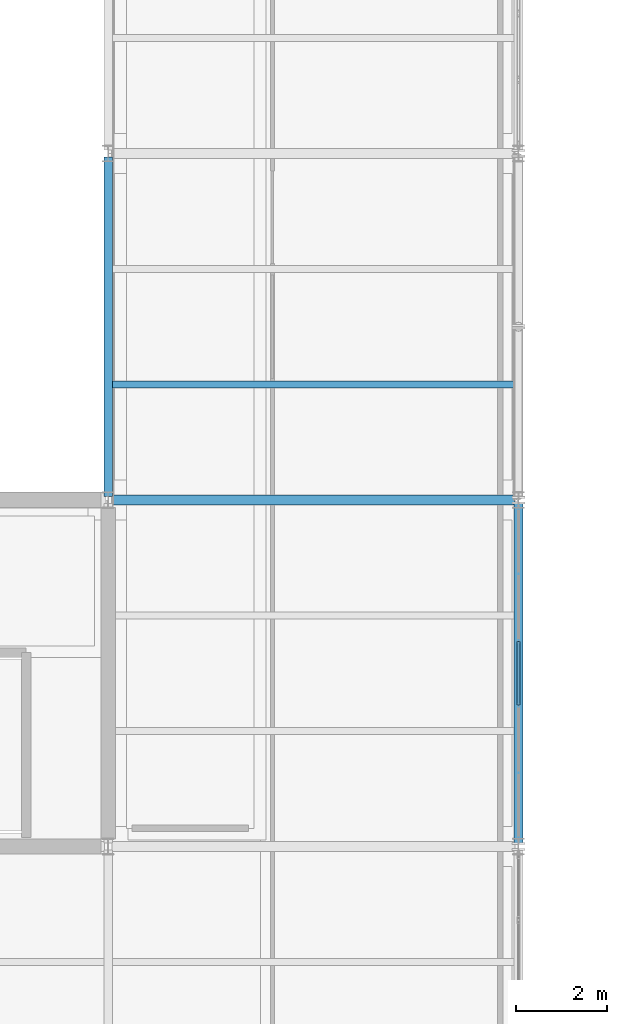
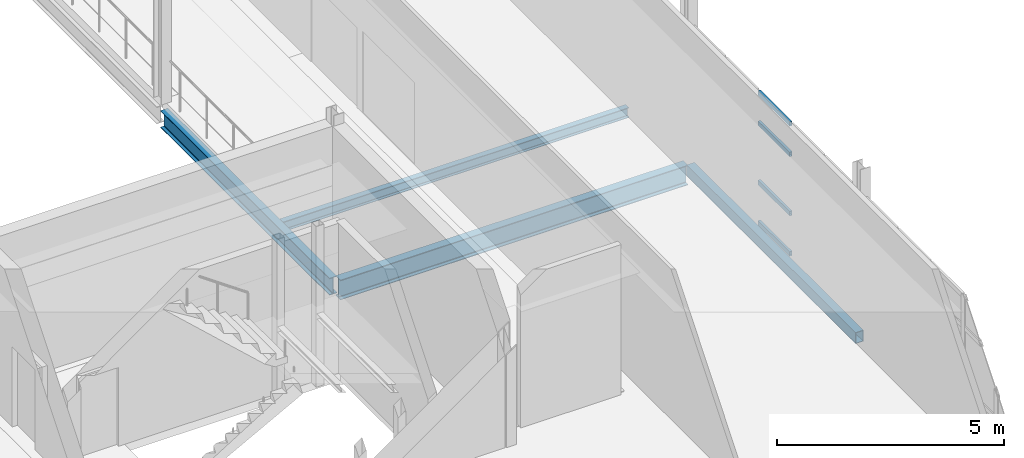
# One storey, part 119 of 174: 4 beams, 4 members, 1 element without a shape of its own.
"""IFC4 building model written with IfcOpenShell, lengths in metres."""

import ifcopenshell
import ifcopenshell.guid

model = None  # the IFC model being written
_history = None  # IfcOwnerHistory: only IFC2X3 demands one
_inside = {}  # id of a spatial element -> (the spatial element, [elements in it])
_under = {}  # id of a project, library or spatial element -> (it, [spatial elements below it])
_declared = {}  # id of a project -> (the project, [libraries it declares])
_typed = {}  # id of a type object -> (the type object, [elements of that type])
_made_of = {}  # id of a material, layer set ... -> (it, [elements and type objects made of it])


def new_model(schema):
    """Start an empty IFC model of exactly this schema.

    Asked for "IFC4X3", IfcOpenShell would pick the latest addendum, in which some entities
    have other attributes; the version numbers below select the first issue.
    IFC2X3 requires an IfcOwnerHistory on every rooted entity: one is made here for all.
    """
    global model, _history
    if schema == "IFC4X3":
        model = ifcopenshell.file(schema_version=(4, 3, 0, 0))
    else:
        model = ifcopenshell.file(schema=schema)
    _inside.clear()
    _under.clear()
    _declared.clear()
    _typed.clear()
    _made_of.clear()
    _history = None
    if model.schema == "IFC2X3":
        org = make("IfcOrganization", Name="unknown")
        user = make(
            "IfcPersonAndOrganization",
            ThePerson=make("IfcPerson", FamilyName="unknown"),
            TheOrganization=org,
        )
        app = make(
            "IfcApplication",
            ApplicationDeveloper=org,
            Version="unknown",
            ApplicationFullName="unknown",
            ApplicationIdentifier="unknown",
        )
        _history = make(
            "IfcOwnerHistory",
            OwningUser=user,
            OwningApplication=app,
            ChangeAction="ADDED",
            CreationDate=0,
        )
    return model


def make(cls, **values):
    """One entity of the class cls with the attributes given. An attribute that is None is left unset."""
    return model.create_entity(
        cls, **{name: value for name, value in values.items() if value is not None}
    )


def rooted(cls, **values):
    """An entity with a GlobalId (a new one), such as an element, a storey or a relation."""
    return make(cls, GlobalId=ifcopenshell.guid.new(), OwnerHistory=_history, **values)


def si_unit(unit_type, name, prefix=None):
    """IfcSIUnit, for example si_unit("LENGTHUNIT", "METRE", prefix="MILLI")."""
    return make("IfcSIUnit", UnitType=unit_type, Prefix=prefix, Name=name)


def assignment(units):
    """IfcUnitAssignment: the units of a project."""
    return None if units is None else make("IfcUnitAssignment", Units=units)


def point(xyz):
    """IfcCartesianPoint."""
    return None if xyz is None else make("IfcCartesianPoint", Coordinates=xyz)


def direction(xyz):
    """IfcDirection."""
    return None if xyz is None else make("IfcDirection", DirectionRatios=xyz)


def frame(location, z_axis=None, x_axis=None):
    """IfcAxis2Placement3D, a coordinate frame: its origin and axes. An axis left out is left unset."""
    return make(
        "IfcAxis2Placement3D",
        Location=point(location),
        Axis=direction(z_axis),
        RefDirection=direction(x_axis),
    )


def frame_2d(location, x_axis=None):
    """IfcAxis2Placement2D, a coordinate frame in the plane: its origin and x axis."""
    return make(
        "IfcAxis2Placement2D", Location=point(location), RefDirection=direction(x_axis)
    )


def origin():
    """The frame at (0, 0, 0) with its axes left unset."""
    return frame((0.0, 0.0, 0.0))


def origin_2d():
    """The frame at (0, 0) in the plane with its x axis left unset."""
    return frame_2d((0.0, 0.0))


def place(relative_to, where):
    """IfcLocalPlacement: puts the frame where relative to a parent placement (None: the world)."""
    return make(
        "IfcLocalPlacement", PlacementRelTo=relative_to, RelativePlacement=where
    )


def context(
    kind, dimensions, precision=None, world=None, true_north=None, identifier=None
):
    """IfcGeometricRepresentationContext, for example the 3D "Model" context."""
    return make(
        "IfcGeometricRepresentationContext",
        ContextIdentifier=identifier,
        ContextType=kind,
        CoordinateSpaceDimension=dimensions,
        Precision=precision,
        WorldCoordinateSystem=world,
        TrueNorth=true_north,
    )


def subcontext(parent, identifier, kind, view, scale=None):
    """IfcGeometricRepresentationSubContext, for example "Body" below "Model"."""
    return make(
        "IfcGeometricRepresentationSubContext",
        ContextIdentifier=identifier,
        ContextType=kind,
        ParentContext=parent,
        TargetScale=scale,
        TargetView=view,
    )


def project(units=None, contexts=None):
    """IfcProject with its units and contexts."""
    return rooted(
        "IfcProject",
        Name="project",
        RepresentationContexts=contexts,
        UnitsInContext=assignment(units),
    )


def spatial(cls, under=None, at=None, **own):
    """A site, building, storey or space (cls), placed at a placement, below another one or the project."""
    s = rooted(cls, ObjectPlacement=at, **own)
    if under is not None:
        _under.setdefault(under.id(), (under, []))[1].append(s)
    return s


def profile(cls, at=None, kind="AREA", **sizes):
    """A parametric profile (cls). Its sizes go by their IFC names, for example OverallWidth=200.0."""
    return make(cls, ProfileType=kind, Position=at, **sizes)


def hollow_rectangle(**sizes):
    """IfcRectangleHollowProfileDef."""
    return profile("IfcRectangleHollowProfileDef", **sizes)


def i_section(**sizes):
    """IfcIShapeProfileDef."""
    return profile("IfcIShapeProfileDef", **sizes)


def extrude(swept, where, along, depth):
    """IfcExtrudedAreaSolid: the profile swept, set in the frame where, extruded along a direction by depth."""
    return make(
        "IfcExtrudedAreaSolid",
        SweptArea=swept,
        Position=where,
        ExtrudedDirection=direction(along),
        Depth=depth,
    )


def shape(context_of_items, identifier, shape_type, items):
    """IfcShapeRepresentation: the items that make up one representation, for example the "Body"."""
    return make(
        "IfcShapeRepresentation",
        ContextOfItems=context_of_items,
        RepresentationIdentifier=identifier,
        RepresentationType=shape_type,
        Items=items,
    )


def material(Name=None, Category=None):
    """IfcMaterial."""
    return make("IfcMaterial", Name=Name, Category=Category)


def material_profile(
    of_material, cross_section, Name=None, Category=None, Priority=None
):
    """IfcMaterialProfile: a cross section and its material."""
    return make(
        "IfcMaterialProfile",
        Name=Name,
        Material=of_material,
        Profile=cross_section,
        Priority=Priority,
        Category=Category,
    )


def profile_set(profiles, Name=None, composite=None):
    """IfcMaterialProfileSet."""
    return make(
        "IfcMaterialProfileSet",
        Name=Name,
        MaterialProfiles=profiles,
        CompositeProfile=composite,
    )


def made_of(thing, what):
    """Note that an element or type object is made of a material, layer set ...; save() writes the relation."""
    if what is not None:
        _made_of.setdefault(what.id(), (what, []))[1].append(thing)
    return thing


def type_object(cls, material=None, **own):
    """A type object (cls), such as IfcWallType, which elements share."""
    return made_of(rooted(cls, **own), material)


def element(
    cls,
    number,
    at=None,
    inside=None,
    cuts=None,
    type_object=None,
    material=None,
    context=None,
    identifier="Body",
    shape_type=None,
    held_by="IfcProductDefinitionShape",
    body=None,
    shapes=None,
    **own,
):
    """One element of the class cls, such as IfcWall. Its Tag is "e" and its number.

    at: its placement. inside: the storey or other place that contains it. cuts: it is an
    opening in that element (IfcRelVoidsElement). A single representation is given by context,
    identifier, shape_type and body (its items); several are given by shapes. held_by: the class
    of the entity that holds the representations. save() writes the other relations.
    """
    e = rooted(cls, Tag="e%d" % number, ObjectPlacement=at, **own)
    if body is not None:
        shapes = [shape(context, identifier, shape_type, body)]
    if shapes is not None:
        e.Representation = make(held_by, Representations=shapes)
    if inside is not None:
        _inside.setdefault(inside.id(), (inside, []))[1].append(e)
    if cuts is not None:
        rooted(
            "IfcRelVoidsElement", RelatingBuildingElement=cuts, RelatedOpeningElement=e
        )
    if type_object is not None:
        _typed.setdefault(type_object.id(), (type_object, []))[1].append(e)
    return made_of(e, material)


def aggregate(whole, parts):
    """IfcRelAggregates: a whole, such as a stair, and the parts it consists of."""
    return rooted("IfcRelAggregates", RelatingObject=whole, RelatedObjects=parts)


def save(model, path):
    """Write the relations noted so far, then the file.

    IfcRelAggregates (storeys below a building ...), IfcRelContainedInSpatialStructure (elements
    in a storey), IfcRelDefinesByType, IfcRelAssociatesMaterial and IfcRelDeclares: one each for
    every whole, place, type object, material and project.
    """
    for whole, parts in _under.values():
        aggregate(whole, parts)
    for where, things in _inside.values():
        rooted(
            "IfcRelContainedInSpatialStructure",
            RelatedElements=things,
            RelatingStructure=where,
        )
    for kind, things in _typed.values():
        rooted("IfcRelDefinesByType", RelatedObjects=things, RelatingType=kind)
    for what, things in _made_of.values():
        rooted("IfcRelAssociatesMaterial", RelatedObjects=things, RelatingMaterial=what)
    for by, libraries in _declared.values():
        rooted("IfcRelDeclares", RelatingContext=by, RelatedDefinitions=libraries)
    model.write(path)


model = new_model("IFC4")

# Units and contexts
model_context = context("Model", 3, precision=1e-05, world=origin(), true_north=direction((0.0, 1.0)))
body_context = subcontext(model_context, "Body", "Model", "MODEL_VIEW")
ifc_project = project(units=[si_unit("LENGTHUNIT", "METRE"), si_unit("AREAUNIT", "SQUARE_METRE"), si_unit("VOLUMEUNIT", "CUBIC_METRE"), si_unit("PLANEANGLEUNIT", "RADIAN"), si_unit("MASSUNIT", "GRAM", prefix="KILO")], contexts=[model_context])

# Site, building, storey
site_placement = place(None, origin())
site = spatial("IfcSite", under=ifc_project, at=site_placement, CompositionType="ELEMENT")
building_placement = place(site_placement, origin())
building = spatial("IfcBuilding", under=site, at=building_placement, Name="Caisbarro Railhouse Central Library", CompositionType="ELEMENT")
storey_placement = place(building_placement, frame((0.0, 0.0, 5.0400390625)))
storey = spatial("IfcBuildingStorey", under=building, at=storey_placement, Name="L01", CompositionType="ELEMENT", Elevation=5.0400390625)

# Beams
ifc_material_1 = material(Name="Steel ASTM A572 Grade 50", Category="steel")
ifc_material_profile_1 = material_profile(ifc_material_1, i_section(OverallWidth=0.208984375, OverallDepth=0.532958984375, WebThickness=0.01025390625, FlangeThickness=0.015625, FilletRadius=0.02001953125, at=origin_2d()), Name="W530X92.0")
ifc_profile_set_1 = profile_set([ifc_material_profile_1], Name="Steel ASTM A572 Grade 50")
beam_type_1 = type_object("IfcBeamType", Name="BM-G06", PredefinedType="BEAM", material=ifc_profile_set_1)
beam_1_placement = place(storey_placement, frame((144.080078125, 76.0, -0.486572265625), z_axis=(1.0, 0.0, 0.0), x_axis=(0.0, 1.0, 0.0)))
element("IfcBeam", 1, at=beam_1_placement, inside=storey, type_object=beam_type_1, Name="G06 beam L01 #912", PredefinedType="BEAM", context=body_context, shape_type="SweptSolid", body=[
    extrude(i_section(OverallWidth=0.208984375, OverallDepth=0.532958984375, WebThickness=0.01025390625, FlangeThickness=0.015625, FilletRadius=0.02001953125, at=origin_2d()), origin(), (0.0, 0.0, 1.0), 8.83984375),
])
ifc_material_profile_2 = material_profile(ifc_material_1, i_section(OverallWidth=0.18994140625, OverallDepth=0.45703125, WebThickness=0.009033203125, FlangeThickness=0.014404296875, FilletRadius=0.01806640625, at=origin_2d()), Name="W460X74.0")
ifc_profile_set_2 = profile_set([ifc_material_profile_2], Name="Steel ASTM A572 Grade 50")
beam_type_2 = type_object("IfcBeamType", Name="BM-G08", PredefinedType="BEAM", material=ifc_profile_set_2)
beam_2_placement = place(storey_placement, frame((144.0, 76.080078125, -0.448486328125), z_axis=(0.0, 1.0, 0.0), x_axis=(-1.0, 0.0, 0.0)))
element("IfcBeam", 2, at=beam_2_placement, inside=storey, type_object=beam_type_2, Name="G08 beam L01 #952", PredefinedType="BEAM", context=body_context, shape_type="SweptSolid", body=[
    extrude(i_section(OverallWidth=0.18994140625, OverallDepth=0.45703125, WebThickness=0.009033203125, FlangeThickness=0.014404296875, FilletRadius=0.01806640625, at=origin_2d()), origin(), (0.0, 0.0, 1.0), 7.43994140625),
])
ifc_material_profile_3 = material_profile(ifc_material_1, i_section(OverallWidth=0.14794921875, OverallDepth=0.26611328125, WebThickness=0.007568359375, FlangeThickness=0.012939453125, FilletRadius=0.010009765625, at=origin_2d()), Name="W250X44.8")
ifc_profile_set_3 = profile_set([ifc_material_profile_3], Name="Steel ASTM A572 Grade 50")
beam_type_3 = type_object("IfcBeamType", Name="BM-J04", PredefinedType="JOIST", material=ifc_profile_set_3)
beam_3_placement = place(storey_placement, frame((144.094970703125, 78.533203125, -0.35302734375), z_axis=(1.0, 0.0, 0.0), x_axis=(0.0, 1.0, 0.0)))
element("IfcBeam", 3, at=beam_3_placement, inside=storey, type_object=beam_type_3, Name="J04 beam L01 #998", PredefinedType="JOIST", context=body_context, shape_type="SweptSolid", body=[
    extrude(i_section(OverallWidth=0.14794921875, OverallDepth=0.26611328125, WebThickness=0.007568359375, FlangeThickness=0.012939453125, FilletRadius=0.010009765625, at=origin_2d()), origin(), (0.0, 0.0, 1.0), 8.804931640625),
])
ifc_material_profile_4 = material_profile(ifc_material_1, hollow_rectangle(XDim=0.199951171875, YDim=0.300048828125, WallThickness=0.012451171875, at=origin_2d()), Name="HSS300X200X12.5")
ifc_profile_set_4 = profile_set([ifc_material_profile_4], Name="Steel ASTM A572 Grade 50")
beam_type_4 = type_object("IfcBeamType", Name="BM-SP02", PredefinedType="SPANDREL", material=ifc_profile_set_4)
beam_4_placement = place(storey_placement, frame((153.0, 68.47998046875, -0.3701171875), z_axis=(0.0, 1.0, 0.0), x_axis=(-1.0, 0.0, 0.0)))
element("IfcBeam", 4, at=beam_4_placement, inside=storey, type_object=beam_type_4, Name="SP02 beam L01 #958", PredefinedType="SPANDREL", context=body_context, shape_type="SweptSolid", body=[
    extrude(hollow_rectangle(XDim=0.199951171875, YDim=0.300048828125, WallThickness=0.012451171875, at=origin_2d()), origin(), (0.0, 0.0, 1.0), 7.43994140625),
])

# Curtain wall, members
ifc_material_2 = material(Name="Anodised architectural aluminium", Category="aluminium")
curtain_wall_type = type_object("IfcCurtainWallType", Name="CW-CW03", PredefinedType="NOTDEFINED", material=ifc_material_2)
curtain_wall_placement = place(storey_placement, origin())
curtain_wall = element("IfcCurtainWall", 5, at=curtain_wall_placement, inside=storey, type_object=curtain_wall_type, Name="CW03 curtain wall L01 #122", PredefinedType="NOTDEFINED")
ifc_material_profile_5 = material_profile(ifc_material_2, hollow_rectangle(XDim=0.06494140625, YDim=0.1201171875, WallThickness=0.00341796875, at=origin_2d()), Name="ALU-TRN-65X120")
ifc_profile_set_5 = profile_set([ifc_material_profile_5], Name="Anodised architectural aluminium")
member_type = type_object("IfcMemberType", Name="CWT-T02", PredefinedType="USERDEFINED", material=ifc_profile_set_5)
member_1_placement = place(storey_placement, frame((153.0, 71.50439453125, 0.032470703125), z_axis=(0.0, 1.0, 0.0), x_axis=(-1.0, 0.0, 0.0)))
member_1 = element("IfcMember", 6, at=member_1_placement, type_object=member_type, Name="CW03 transom 3.1", ObjectType="TRANSOM", PredefinedType="USERDEFINED", context=body_context, shape_type="SweptSolid", body=[
    extrude(hollow_rectangle(XDim=0.06494140625, YDim=0.1201171875, WallThickness=0.00341796875, at=origin_2d()), origin(), (0.0, 0.0, 1.0), 1.39111328125),
])
member_2_placement = place(storey_placement, frame((153.0, 71.50439453125, 1.119873046875), z_axis=(0.0, 1.0, 0.0), x_axis=(-1.0, 0.0, 0.0)))
member_2 = element("IfcMember", 7, at=member_2_placement, type_object=member_type, Name="CW03 transom 3.2", ObjectType="TRANSOM", PredefinedType="USERDEFINED", context=body_context, shape_type="SweptSolid", body=[
    extrude(hollow_rectangle(XDim=0.06494140625, YDim=0.1201171875, WallThickness=0.00341796875, at=origin_2d()), origin(), (0.0, 0.0, 1.0), 1.39111328125),
])
member_3_placement = place(storey_placement, frame((153.0, 71.50439453125, 2.7099609375), z_axis=(0.0, 1.0, 0.0), x_axis=(-1.0, 0.0, 0.0)))
member_3 = element("IfcMember", 8, at=member_3_placement, type_object=member_type, Name="CW03 transom 3.3", ObjectType="TRANSOM", PredefinedType="USERDEFINED", context=body_context, shape_type="SweptSolid", body=[
    extrude(hollow_rectangle(XDim=0.06494140625, YDim=0.1201171875, WallThickness=0.00341796875, at=origin_2d()), origin(), (0.0, 0.0, 1.0), 1.39111328125),
])
member_4_placement = place(storey_placement, frame((153.0, 71.50439453125, 3.52734375), z_axis=(0.0, 1.0, 0.0), x_axis=(-1.0, 0.0, 0.0)))
member_4 = element("IfcMember", 9, at=member_4_placement, type_object=member_type, Name="CW03 transom 3.4", ObjectType="TRANSOM", PredefinedType="USERDEFINED", context=body_context, shape_type="SweptSolid", body=[
    extrude(hollow_rectangle(XDim=0.06494140625, YDim=0.1201171875, WallThickness=0.00341796875, at=origin_2d()), origin(), (0.0, 0.0, 1.0), 1.39111328125),
])
aggregate(curtain_wall, [member_1, member_2, member_3, member_4])

save(model, "model.ifc")
